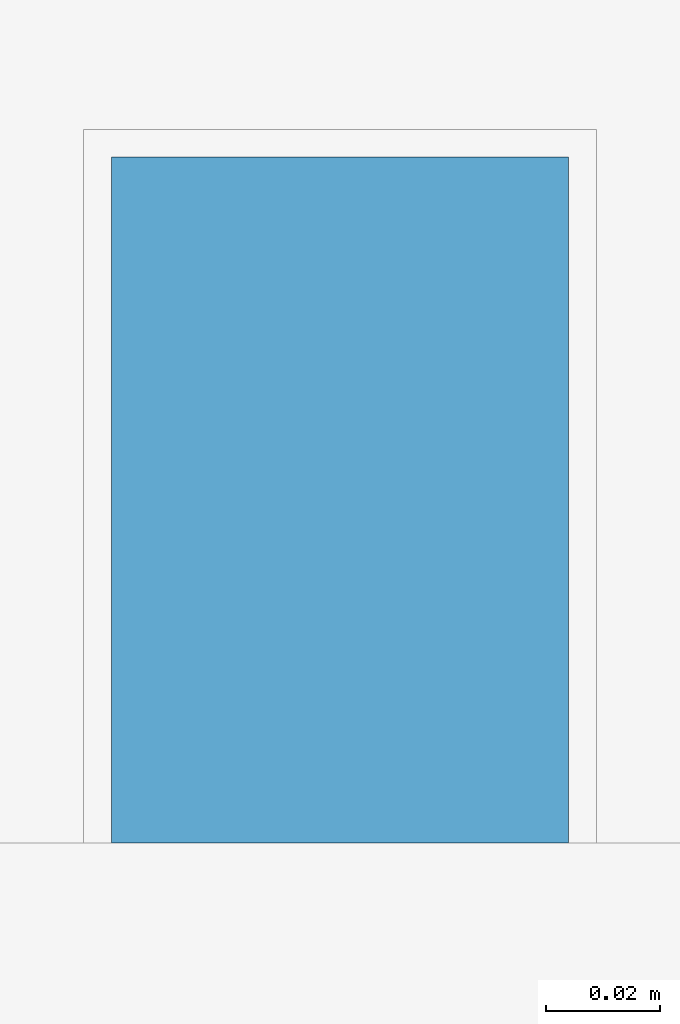
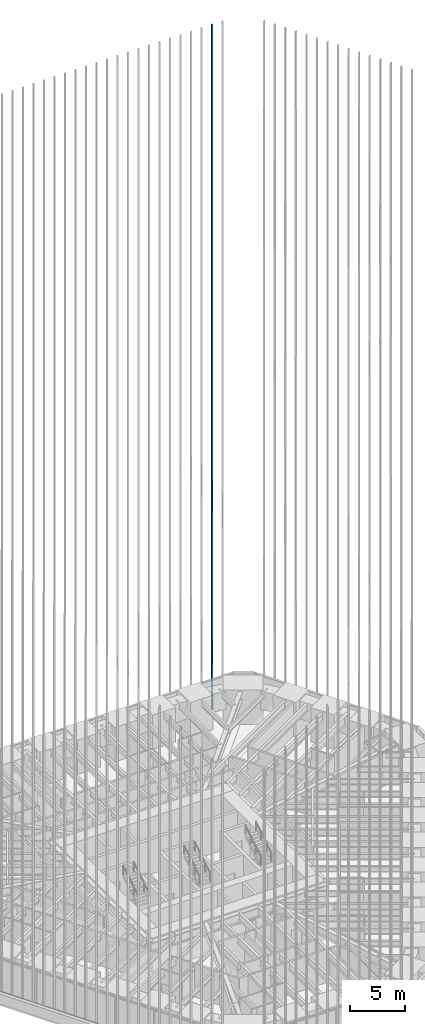
# One storey, part 219 of 238: 1 member, 1 element without a shape of its own.
"""IFC4 building model written with IfcOpenShell, lengths in metres."""

from ifc_helpers import new_model, si_unit, direction, frame, origin, origin_2d, place, context, subcontext, project, spatial, rectangle, extrude, material, material_profile, profile_set, type_object, element, aggregate, save


model = new_model("IFC4")

# Units and contexts
model_context = context("Model", 3, precision=1e-05, world=origin(), true_north=direction((0.0, 1.0)))
body_context = subcontext(model_context, "Body", "Model", "MODEL_VIEW")
ifc_project = project(units=[si_unit("LENGTHUNIT", "METRE"), si_unit("AREAUNIT", "SQUARE_METRE"), si_unit("VOLUMEUNIT", "CUBIC_METRE"), si_unit("PLANEANGLEUNIT", "RADIAN"), si_unit("MASSUNIT", "GRAM", prefix="KILO")], contexts=[model_context])

# Site, building, storey
site_placement = place(None, origin())
site = spatial("IfcSite", under=ifc_project, at=site_placement, CompositionType="ELEMENT")
building_placement = place(site_placement, origin())
building = spatial("IfcBuilding", under=site, at=building_placement, Name="Sandreach Pilgrim Tower", CompositionType="ELEMENT")
storey_placement = place(building_placement, frame((0.0, 0.0, 96.800048828125)))
storey = spatial("IfcBuildingStorey", under=building, at=storey_placement, Name="L23", CompositionType="ELEMENT", Elevation=96.800048828125)

# Curtain wall, member
ifc_material_1 = material(Name="Aluminium framed curtain wall", Category="aluminium")
curtain_wall_type = type_object("IfcCurtainWallType", Name="Hotel tower curtain wall", PredefinedType="NOTDEFINED", material=ifc_material_1)
curtain_wall_placement = place(storey_placement, origin())
curtain_wall = element("IfcCurtainWall", 1, at=curtain_wall_placement, inside=storey, type_object=curtain_wall_type, Name="CW-2 L23 N", PredefinedType="NOTDEFINED")
ifc_material_2 = material(Name="Extruded terracotta on aluminium core", Category="masonry")
ifc_material_profile = material_profile(ifc_material_2, rectangle(XDim=0.080078125, YDim=0.1201171875, at=origin_2d()), Name="TBN 80X120")
ifc_profile_set = profile_set([ifc_material_profile], Name="Extruded terracotta on aluminium core")
member_type = type_object("IfcMemberType", Name="Terracotta baguette north", PredefinedType="USERDEFINED", material=ifc_profile_set)
member_placement = place(storey_placement, frame((16.490478515625, 22.853759765625, 0.0), z_axis=(0.0, 0.0, 1.0), x_axis=(1.0, 0.0, 0.0)))
member = element("IfcMember", 2, at=member_placement, type_object=member_type, Name="Baguette Z2 N32", ObjectType="BAGUETTE", PredefinedType="USERDEFINED", context=body_context, shape_type="SweptSolid", body=[
    extrude(rectangle(XDim=0.080078125, YDim=0.1201171875, at=origin_2d()), origin(), (0.0, 0.0, 1.0), 75.83984375),
])
aggregate(curtain_wall, [member])

save(model, "model.ifc")
